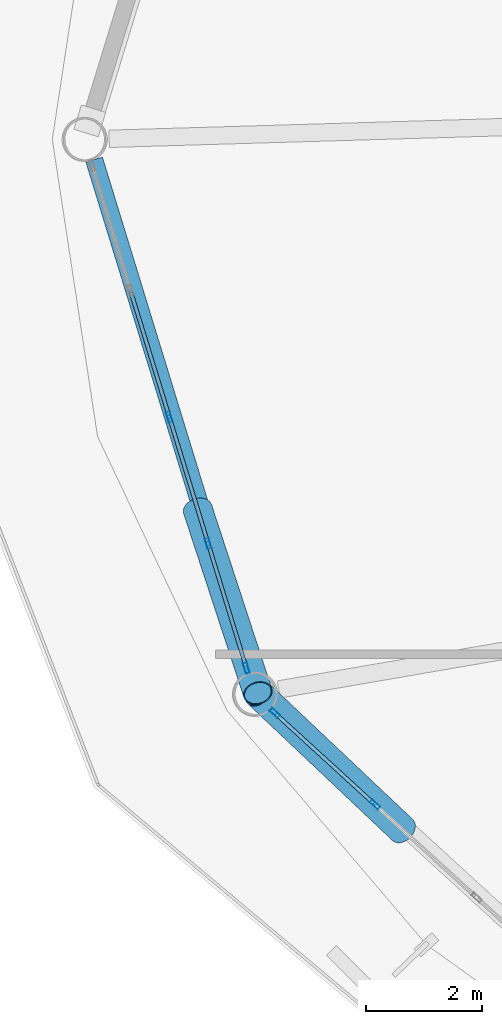
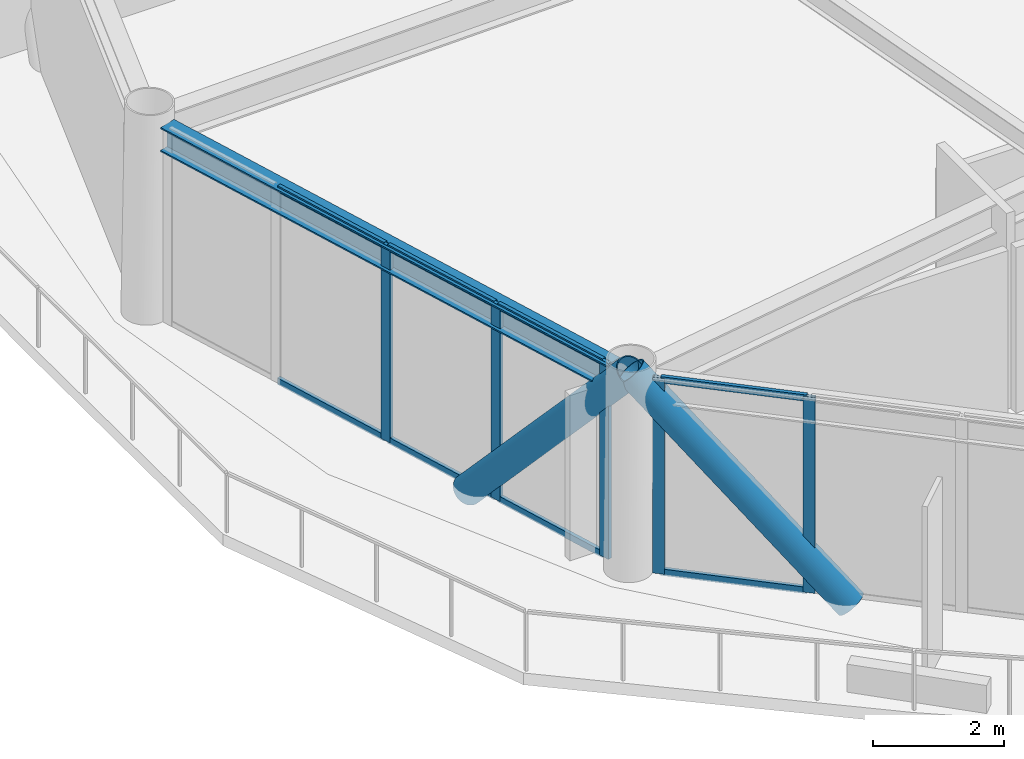
# One storey, part 4 of 23: 15 members, 1 beam, 2 elements without a shape of their own.
"""IFC4 building model written with IfcOpenShell, lengths in metres."""

from ifc_helpers import new_model, si_unit, direction, frame, origin, origin_2d, place, context, subcontext, project, spatial, hollow_rectangle, hollow_circle, i_section, extrude, material, layer, layer_set, material_profile, profile_set, type_object, element, aggregate, save


model = new_model("IFC4")

# Units and contexts
model_context = context("Model", 3, precision=1e-05, world=origin(), true_north=direction((0.0, 1.0)))
body_context = subcontext(model_context, "Body", "Model", "MODEL_VIEW")
ifc_project = project(units=[si_unit("LENGTHUNIT", "METRE"), si_unit("AREAUNIT", "SQUARE_METRE"), si_unit("VOLUMEUNIT", "CUBIC_METRE"), si_unit("PLANEANGLEUNIT", "RADIAN"), si_unit("MASSUNIT", "GRAM", prefix="KILO")], contexts=[model_context])

# Site, building, storey
site_placement = place(None, origin())
site = spatial("IfcSite", under=ifc_project, at=site_placement, CompositionType="ELEMENT")
building_placement = place(site_placement, origin())
building = spatial("IfcBuilding", under=site, at=building_placement, Name="Varnakorn Sky Granary", CompositionType="ELEMENT")
storey_placement = place(building_placement, frame((0.0, 0.0, 130.5)))
storey = spatial("IfcBuildingStorey", under=building, at=storey_placement, Name="L32", CompositionType="ELEMENT", Elevation=130.5)

# Beam
ifc_material_1 = material(Name="Steel S355JR", Category="steel")
ifc_material_profile_1 = material_profile(ifc_material_1, i_section(OverallWidth=0.300048828125, OverallDepth=0.449951171875, WebThickness=0.013916015625, FlangeThickness=0.02587890625, at=origin_2d()), Name="HE 450 B")
ifc_profile_set_1 = profile_set([ifc_material_profile_1], Name="Steel S355JR")
beam_type = type_object("IfcBeamType", Name="BM-SPD-Z3", PredefinedType="SPANDREL", material=ifc_profile_set_1)
beam_placement = place(storey_placement, frame((-22.442626953125, -0.349853515625, 3.4150390625), z_axis=(0.293344484103, -0.956006806276, 0.0), x_axis=(0.956006806276, 0.293344484103, 0.0)))
element("IfcBeam", 1, at=beam_placement, inside=storey, type_object=beam_type, Name="Perimeter Spandrel Ring Beam RB07 L32", PredefinedType="SPANDREL", context=body_context, shape_type="SweptSolid", body=[
    extrude(i_section(OverallWidth=0.300048828125, OverallDepth=0.449951171875, WebThickness=0.013916015625, FlangeThickness=0.02587890625, at=origin_2d()), origin(), (0.0, 0.0, 1.0), 9.280517578125),
])

# Curtain wall, members
ifc_material_2 = material(Name="Anodised Bronze Aluminium Alloy 6063-T6", Category="aluminium")
ifc_layer = layer(ifc_material_2, 0.179931640625, Name="Anodised Bronze Aluminium Alloy 6063-T6")
ifc_layer_set = layer_set([ifc_layer], Name="Anodised Bronze Aluminium Alloy 6063-T6")
curtain_wall_type = type_object("IfcCurtainWallType", Name="CW-FRM-2", PredefinedType="USERDEFINED", material=ifc_layer_set)
curtain_wall_1_placement = place(storey_placement, origin())
curtain_wall_1 = element("IfcCurtainWall", 2, at=curtain_wall_1_placement, inside=storey, type_object=curtain_wall_type, Name="Unitised Curtain Wall CW4 CW-L32-B07", ObjectType="CURTAIN WALL", PredefinedType="USERDEFINED")
ifc_material_profile_2 = material_profile(ifc_material_2, hollow_rectangle(XDim=0.070068359375, YDim=0.18505859375, WallThickness=0.00390625, at=origin_2d()), Name="ALU MULL 70x185")
ifc_profile_set_2 = profile_set([ifc_material_profile_2], Name="Anodised Bronze Aluminium Alloy 6063-T6")
member_type_1 = type_object("IfcMemberType", Name="CW-FRM-2-MULL", PredefinedType="MULLION", material=ifc_profile_set_2)
member_1_placement = place(storey_placement, frame((-19.810546875, -9.140380859375, 0.0), z_axis=(0.0, 0.0, 1.0), x_axis=(-0.955954304208, -0.293515533262, 0.0)))
member_1 = element("IfcMember", 3, at=member_1_placement, type_object=member_type_1, Name="CW4 mullion 1", PredefinedType="MULLION", context=body_context, shape_type="SweptSolid", body=[
    extrude(hollow_rectangle(XDim=0.070068359375, YDim=0.18505859375, WallThickness=0.00390625, at=origin_2d()), origin(), (0.0, 0.0, 1.0), 3.639892578125),
])
member_2_placement = place(storey_placement, frame((-20.47216796875, -6.98583984375, 0.0), z_axis=(0.0, 0.0, 1.0), x_axis=(-0.955954304208, -0.293515533262, 0.0)))
member_2 = element("IfcMember", 4, at=member_2_placement, type_object=member_type_1, Name="CW4 mullion 2", PredefinedType="MULLION", context=body_context, shape_type="SweptSolid", body=[
    extrude(hollow_rectangle(XDim=0.070068359375, YDim=0.18505859375, WallThickness=0.00390625, at=origin_2d()), origin(), (0.0, 0.0, 1.0), 3.639892578125),
])
member_3_placement = place(storey_placement, frame((-21.14404296875, -4.7978515625, 0.0), z_axis=(0.0, 0.0, 1.0), x_axis=(-0.955954304208, -0.293515533262, 0.0)))
member_3 = element("IfcMember", 5, at=member_3_placement, type_object=member_type_1, Name="CW4 mullion 3", PredefinedType="MULLION", context=body_context, shape_type="SweptSolid", body=[
    extrude(hollow_rectangle(XDim=0.070068359375, YDim=0.18505859375, WallThickness=0.00390625, at=origin_2d()), origin(), (0.0, 0.0, 1.0), 3.639892578125),
])

curtain_wall_2_placement = place(storey_placement, origin())
curtain_wall_2 = element("IfcCurtainWall", 6, at=curtain_wall_2_placement, inside=storey, type_object=curtain_wall_type, Name="Unitised Curtain Wall CW4 CW-L32-B08", ObjectType="CURTAIN WALL", PredefinedType="USERDEFINED")
member_4_placement = place(storey_placement, frame((-17.588134765625, -11.50048828125, 0.0), z_axis=(0.0, 0.0, 1.0), x_axis=(-0.67491752589, -0.737893171975, 0.0)))
member_4 = element("IfcMember", 7, at=member_4_placement, type_object=member_type_1, Name="CW4 mullion 4", PredefinedType="MULLION", context=body_context, shape_type="SweptSolid", body=[
    extrude(hollow_rectangle(XDim=0.070068359375, YDim=0.18505859375, WallThickness=0.00390625, at=origin_2d()), origin(), (0.0, 0.0, 1.0), 3.639892578125),
])
member_5_placement = place(storey_placement, frame((-19.319580078125, -9.916748046875, 0.0), z_axis=(0.0, 0.0, 1.0), x_axis=(-0.67491752589, -0.737893171975, 0.0)))
member_5 = element("IfcMember", 8, at=member_5_placement, type_object=member_type_1, Name="CW4 mullion 5", PredefinedType="MULLION", context=body_context, shape_type="SweptSolid", body=[
    extrude(hollow_rectangle(XDim=0.070068359375, YDim=0.18505859375, WallThickness=0.00390625, at=origin_2d()), origin(), (0.0, 0.0, 1.0), 3.639892578125),
])

# Member
ifc_material_profile_3 = material_profile(ifc_material_2, hollow_rectangle(XDim=0.06494140625, YDim=0.1201171875, WallThickness=0.00341796875, at=origin_2d()), Name="ALU TRAN 65x120")
ifc_profile_set_3 = profile_set([ifc_material_profile_3], Name="Anodised Bronze Aluminium Alloy 6063-T6")
member_type_2 = type_object("IfcMemberType", Name="CW-FRM-2-TRAN", PredefinedType="USERDEFINED", material=ifc_profile_set_3)
member_6_placement = place(storey_placement, frame((-19.82080078125, -9.10693359375, 0.032470703125), z_axis=(-0.293567329684, 0.955938399136, 0.0), x_axis=(-0.955938399136, -0.293567329684, 0.0)))
member_6 = element("IfcMember", 9, at=member_6_placement, type_object=member_type_2, Name="CW4 transom 1.1", ObjectType="TRANSOM", PredefinedType="USERDEFINED", context=body_context, shape_type="SweptSolid", body=[
    extrude(hollow_rectangle(XDim=0.06494140625, YDim=0.1201171875, WallThickness=0.00341796875, at=origin_2d()), origin(), (0.0, 0.0, 1.0), 2.183837890625),
])

member_7_placement = place(storey_placement, frame((-19.82080078125, -9.10693359375, 3.607421875), z_axis=(-0.293567329684, 0.955938399136, 0.0), x_axis=(-0.955938399136, -0.293567329684, 0.0)))
member_7 = element("IfcMember", 10, at=member_7_placement, type_object=member_type_2, Name="CW4 transom 1.2", ObjectType="TRANSOM", PredefinedType="USERDEFINED", context=body_context, shape_type="SweptSolid", body=[
    extrude(hollow_rectangle(XDim=0.06494140625, YDim=0.1201171875, WallThickness=0.00341796875, at=origin_2d()), origin(), (0.0, 0.0, 1.0), 2.183837890625),
])

member_8_placement = place(storey_placement, frame((-20.482421875, -6.952392578125, 0.032470703125), z_axis=(-0.293560039371, 0.95594063795, 0.0), x_axis=(-0.95594063795, -0.293560039371, 0.0)))
member_8 = element("IfcMember", 11, at=member_8_placement, type_object=member_type_2, Name="CW4 transom 2.1", ObjectType="TRANSOM", PredefinedType="USERDEFINED", context=body_context, shape_type="SweptSolid", body=[
    extrude(hollow_rectangle(XDim=0.06494140625, YDim=0.1201171875, WallThickness=0.00341796875, at=origin_2d()), origin(), (0.0, 0.0, 1.0), 2.21875),
])

member_9_placement = place(storey_placement, frame((-20.482421875, -6.952392578125, 3.607421875), z_axis=(-0.293560039371, 0.95594063795, 0.0), x_axis=(-0.95594063795, -0.293560039371, 0.0)))
member_9 = element("IfcMember", 12, at=member_9_placement, type_object=member_type_2, Name="CW4 transom 2.2", ObjectType="TRANSOM", PredefinedType="USERDEFINED", context=body_context, shape_type="SweptSolid", body=[
    extrude(hollow_rectangle(XDim=0.06494140625, YDim=0.1201171875, WallThickness=0.00341796875, at=origin_2d()), origin(), (0.0, 0.0, 1.0), 2.21875),
])

member_10_placement = place(storey_placement, frame((-21.154296875, -4.764404296875, 0.032470703125), z_axis=(-0.29342862101, 0.955980985361, 0.0), x_axis=(-0.955980985361, -0.29342862101, 0.0)))
member_10 = element("IfcMember", 13, at=member_10_placement, type_object=member_type_2, Name="CW4 transom 3.1", ObjectType="TRANSOM", PredefinedType="USERDEFINED", context=body_context, shape_type="SweptSolid", body=[
    extrude(hollow_rectangle(XDim=0.06494140625, YDim=0.1201171875, WallThickness=0.00341796875, at=origin_2d()), origin(), (0.0, 0.0, 1.0), 2.218994140625),
])

member_11_placement = place(storey_placement, frame((-21.154296875, -4.764404296875, 3.607421875), z_axis=(-0.29342862101, 0.955980985361, 0.0), x_axis=(-0.955980985361, -0.29342862101, 0.0)))
member_11 = element("IfcMember", 14, at=member_11_placement, type_object=member_type_2, Name="CW4 transom 3.2", ObjectType="TRANSOM", PredefinedType="USERDEFINED", context=body_context, shape_type="SweptSolid", body=[
    extrude(hollow_rectangle(XDim=0.06494140625, YDim=0.1201171875, WallThickness=0.00341796875, at=origin_2d()), origin(), (0.0, 0.0, 1.0), 2.218994140625),
])

aggregate(curtain_wall_1, [member_1, member_2, member_3, member_6, member_7, member_8, member_9, member_10, member_11])

member_12_placement = place(storey_placement, frame((-17.614013671875, -11.476806640625, 0.032470703125), z_axis=(-0.737932672894, 0.674874336655, 0.0), x_axis=(-0.674874336655, -0.737932672894, 0.0)))
member_12 = element("IfcMember", 15, at=member_12_placement, type_object=member_type_2, Name="CW4 transom 4.1", ObjectType="TRANSOM", PredefinedType="USERDEFINED", context=body_context, shape_type="SweptSolid", body=[
    extrude(hollow_rectangle(XDim=0.06494140625, YDim=0.1201171875, WallThickness=0.00341796875, at=origin_2d()), origin(), (0.0, 0.0, 1.0), 2.276611328125),
])

member_13_placement = place(storey_placement, frame((-17.614013671875, -11.476806640625, 3.607421875), z_axis=(-0.737932672894, 0.674874336655, 0.0), x_axis=(-0.674874336655, -0.737932672894, 0.0)))
member_13 = element("IfcMember", 16, at=member_13_placement, type_object=member_type_2, Name="CW4 transom 4.2", ObjectType="TRANSOM", PredefinedType="USERDEFINED", context=body_context, shape_type="SweptSolid", body=[
    extrude(hollow_rectangle(XDim=0.06494140625, YDim=0.1201171875, WallThickness=0.00341796875, at=origin_2d()), origin(), (0.0, 0.0, 1.0), 2.276611328125),
])

aggregate(curtain_wall_2, [member_4, member_5, member_12, member_13])

# Members
ifc_material_3 = material(Name="Steel S460M", Category="steel")
ifc_material_profile_4 = material_profile(ifc_material_3, hollow_circle(Radius=0.25390625, WallThickness=0.01806640625, at=origin_2d()), Name="CHS 508x18")
ifc_profile_set_4 = profile_set([ifc_material_profile_4], Name="Steel S460M")
member_type_3 = type_object("IfcMemberType", Name="MB-DIAG-T2", PredefinedType="BRACE", material=ifc_profile_set_4)
member_14_placement = place(storey_placement, frame((-20.65283203125, -6.39697265625, -0.1298828125), z_axis=(0.206469877333, -0.630314731153, 0.74838060467), x_axis=(0.95031461847, 0.311291063028, 0.0)))
element("IfcMember", 17, at=member_14_placement, inside=storey, type_object=member_type_3, Name="Perimeter CHS Diagrid Brace DG07 L32", PredefinedType="BRACE", context=body_context, shape_type="SweptSolid", body=[
    extrude(hollow_circle(Radius=0.25390625, WallThickness=0.01806640625, at=origin_2d()), origin(), (0.0, 0.0, 1.0), 5.037353515625),
])
member_15_placement = place(storey_placement, frame((-17.11083984375, -11.93701171875, -0.1298828125), z_axis=(-0.490069129309, 0.463241574514, 0.738403339741), x_axis=(-0.686935811424, -0.726718095951, 0.0)))
element("IfcMember", 18, at=member_15_placement, inside=storey, type_object=member_type_3, Name="Perimeter CHS Diagrid Brace DG08 L32", PredefinedType="BRACE", context=body_context, shape_type="SweptSolid", body=[
    extrude(hollow_circle(Radius=0.25390625, WallThickness=0.01806640625, at=origin_2d()), origin(), (0.0, 0.0, 1.0), 5.105224609375),
])

save(model, "model.ifc")
